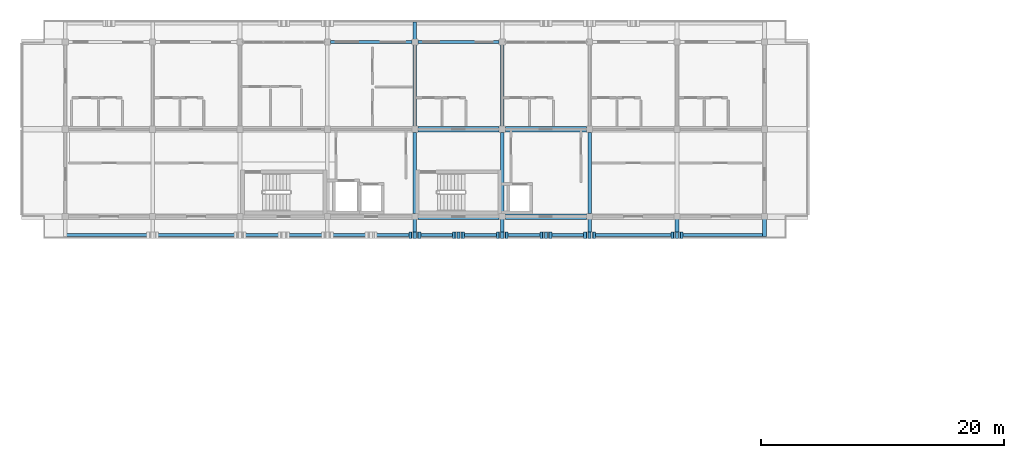
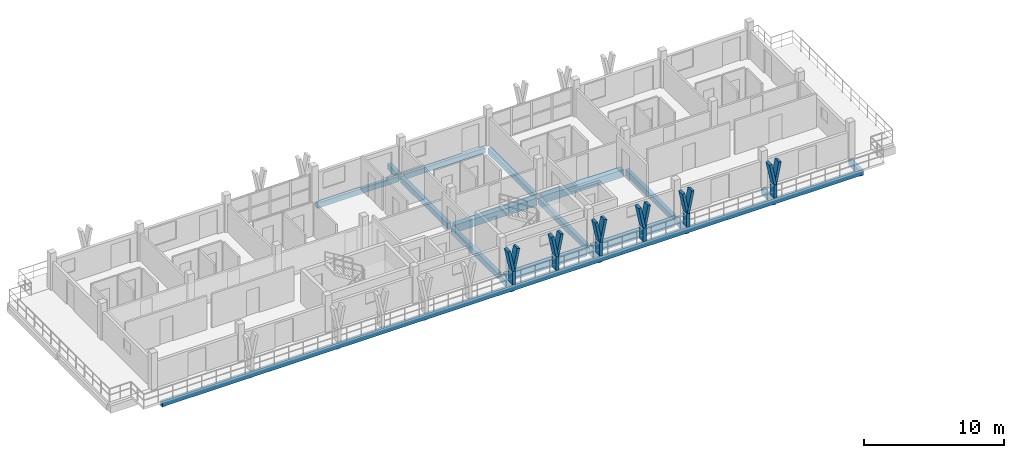
# One storey, part 5 of 32: 18 beams, 18 members.
"""IFC4 building model written with IfcOpenShell, lengths in metres."""

from ifc_helpers import new_model, si_unit, direction, frame, origin, origin_2d, place, context, subcontext, project, spatial, rectangle, extrude, material, material_profile, profile_set, type_object, element, save


model = new_model("IFC4")

# Units and contexts
model_context = context("Model", 3, precision=1e-05, world=origin(), true_north=direction((0.0, 1.0)))
body_context = subcontext(model_context, "Body", "Model", "MODEL_VIEW")
ifc_project = project(units=[si_unit("LENGTHUNIT", "METRE"), si_unit("AREAUNIT", "SQUARE_METRE"), si_unit("VOLUMEUNIT", "CUBIC_METRE"), si_unit("PLANEANGLEUNIT", "RADIAN"), si_unit("MASSUNIT", "GRAM", prefix="KILO")], contexts=[model_context])

# Site, building, storey
site_placement = place(None, origin())
site = spatial("IfcSite", under=ifc_project, at=site_placement, CompositionType="ELEMENT")
building_placement = place(site_placement, origin())
building = spatial("IfcBuilding", under=site, at=building_placement, Name="Suanplinth Sawtooth Commons", CompositionType="ELEMENT")
storey_placement = place(building_placement, frame((0.0, 0.0, 41.199951171875)))
storey = spatial("IfcBuildingStorey", under=building, at=storey_placement, Name="L12", CompositionType="ELEMENT", Elevation=41.199951171875)

# Beams
ifc_material_1 = material(Name="Precast concrete C40/50", Category="concrete")
ifc_material_profile_1 = material_profile(ifc_material_1, rectangle(XDim=0.449951171875, YDim=0.64990234375, at=origin_2d()), Name="PC-GDR 450x650")
ifc_profile_set_1 = profile_set([ifc_material_profile_1], Name="Precast concrete C40/50")
beam_type_1 = type_object("IfcBeamType", Name="B-04", PredefinedType="USERDEFINED", material=ifc_profile_set_1)
for number, where, z_axis, x_axis, name in (
    (1, (57.85009765625, 108.0, -0.534912109375), (1.0, 0.0, 0.0), (0.0, 1.0, 0.0), "BMX-L12-A-8-15"),
    (2, (57.85009765625, 115.199951171875, -0.534912109375), (1.0, 0.0, 0.0), (0.0, 1.0, 0.0), "BMX-L12-A-8-16"),
    (3, (65.050048828125, 108.0, -0.534912109375), (1.0, 0.0, 0.0), (0.0, 1.0, 0.0), "BMX-L12-A-9-15"),
    (4, (65.050048828125, 115.199951171875, -0.534912109375), (1.0, 0.0, 0.0), (0.0, 1.0, 0.0), "BMX-L12-A-9-16"),
):
    element("IfcBeam", number, at=place(storey_placement, frame(where, z_axis=z_axis, x_axis=x_axis)), inside=storey, type_object=beam_type_1, Name=name, ObjectType="GIRDER", PredefinedType="USERDEFINED", context=body_context, shape_type="SweptSolid", body=[
        extrude(rectangle(XDim=0.449951171875, YDim=0.64990234375, at=origin_2d()), origin(), (0.0, 0.0, 1.0), 6.699951171875),
    ])
ifc_material_profile_2 = material_profile(ifc_material_1, rectangle(XDim=0.300048828125, YDim=0.5, at=origin_2d()), Name="PC-BM 300x500")
ifc_profile_set_2 = profile_set([ifc_material_profile_2], Name="Precast concrete C40/50")
beam_type_2 = type_object("IfcBeamType", Name="B-07", PredefinedType="BEAM", material=ifc_profile_set_2)
for number, where, z_axis, x_axis, name in (
    (5, (57.60009765625, 108.25, -0.4599609375), (0.0, 1.0, 0.0), (-1.0, 0.0, 0.0), "BMY-L12-A-8-15"),
    (6, (57.60009765625, 115.449951171875, -0.4599609375), (0.0, 1.0, 0.0), (-1.0, 0.0, 0.0), "BMY-L12-A-8-16"),
    (7, (64.800048828125, 108.25, -0.4599609375), (0.0, 1.0, 0.0), (-1.0, 0.0, 0.0), "BMY-L12-A-9-15"),
    (8, (64.800048828125, 115.449951171875, -0.4599609375), (0.0, 1.0, 0.0), (-1.0, 0.0, 0.0), "BMY-L12-A-9-16"),
    (9, (72.0, 108.25, -0.4599609375), (0.0, 1.0, 0.0), (-1.0, 0.0, 0.0), "BMY-L12-A-10-15"),
):
    element("IfcBeam", number, at=place(storey_placement, frame(where, z_axis=z_axis, x_axis=x_axis)), inside=storey, type_object=beam_type_2, Name=name, PredefinedType="BEAM", context=body_context, shape_type="SweptSolid", body=[
        extrude(rectangle(XDim=0.300048828125, YDim=0.5, at=origin_2d()), origin(), (0.0, 0.0, 1.0), 6.699951171875),
    ])
beam_1_placement = place(storey_placement, frame((57.60009765625, 122.39990234375, -0.429931640625), z_axis=(0.0, 1.0, 0.0), x_axis=(-1.0, 0.0, 0.0)))
element("IfcBeam", 10, at=beam_1_placement, inside=storey, type_object=beam_type_2, Name="Balcony Outrigger L12-A-N-8", PredefinedType="BEAM", context=body_context, shape_type="SweptSolid", body=[
    extrude(rectangle(XDim=0.300048828125, YDim=0.5, at=origin_2d()), origin(), (0.0, 0.0, 1.0), 1.64013671875),
])
for number, where, z_axis, x_axis, name in (
    (11, (57.60009765625, 108.0, -0.429931640625), (0.0, -1.0, 0.0), (1.0, 0.0, 0.0), "Balcony Outrigger L12-A-S-8"),
    (12, (64.800048828125, 108.0, -0.429931640625), (0.0, -1.0, 0.0), (1.0, 0.0, 0.0), "Balcony Outrigger L12-A-S-9"),
    (13, (72.0, 108.0, -0.429931640625), (0.0, -1.0, 0.0), (1.0, 0.0, 0.0), "Balcony Outrigger L12-A-S-10"),
    (14, (79.199951171875, 108.0, -0.429931640625), (0.0, -1.0, 0.0), (1.0, 0.0, 0.0), "Balcony Outrigger L12-A-S-11"),
    (15, (86.39990234375, 108.0, -0.429931640625), (0.0, -1.0, 0.0), (1.0, 0.0, 0.0), "Balcony Outrigger L12-A-S-12"),
):
    element("IfcBeam", number, at=place(storey_placement, frame(where, z_axis=z_axis, x_axis=x_axis)), inside=storey, type_object=beam_type_2, Name=name, PredefinedType="BEAM", context=body_context, shape_type="SweptSolid", body=[
        extrude(rectangle(XDim=0.300048828125, YDim=0.5, at=origin_2d()), origin(), (0.0, 0.0, 1.0), 1.639892578125),
    ])
ifc_material_profile_3 = material_profile(ifc_material_1, rectangle(XDim=0.25, YDim=0.449951171875, at=origin_2d()), Name="PC-SP 250x450")
ifc_profile_set_3 = profile_set([ifc_material_profile_3], Name="Precast concrete C40/50")
beam_type_3 = type_object("IfcBeamType", Name="B-09", PredefinedType="SPANDREL", material=ifc_profile_set_3)
beam_2_placement = place(storey_placement, frame((50.64990234375, 122.39990234375, -0.43505859375), z_axis=(1.0, 0.0, 0.0), x_axis=(0.0, 1.0, 0.0)))
element("IfcBeam", 16, at=beam_2_placement, inside=storey, type_object=beam_type_3, Name="BMX-L12-A-7-17", PredefinedType="SPANDREL", context=body_context, shape_type="SweptSolid", body=[
    extrude(rectangle(XDim=0.25, YDim=0.449951171875, at=origin_2d()), origin(), (0.0, 0.0, 1.0), 6.7001953125),
])
beam_3_placement = place(storey_placement, frame((57.85009765625, 122.39990234375, -0.43505859375), z_axis=(1.0, 0.0, 0.0), x_axis=(0.0, 1.0, 0.0)))
element("IfcBeam", 17, at=beam_3_placement, inside=storey, type_object=beam_type_3, Name="BMX-L12-A-8-17", PredefinedType="SPANDREL", context=body_context, shape_type="SweptSolid", body=[
    extrude(rectangle(XDim=0.25, YDim=0.449951171875, at=origin_2d()), origin(), (0.0, 0.0, 1.0), 6.699951171875),
])
beam_4_placement = place(storey_placement, frame((28.64990234375, 106.47998046875, -0.405029296875), z_axis=(1.0, 0.0, 0.0), x_axis=(0.0, 1.0, 0.0)))
element("IfcBeam", 18, at=beam_4_placement, inside=storey, type_object=beam_type_3, Name="Balcony Edge Fascia L12-A-S", PredefinedType="SPANDREL", context=body_context, shape_type="SweptSolid", body=[
    extrude(rectangle(XDim=0.25, YDim=0.449951171875, at=origin_2d()), origin(), (0.0, 0.0, 1.0), 57.900146484375),
])

# Members
ifc_material_2 = material(Name="Pigmented precast concrete C40/50", Category="concrete")
ifc_material_profile_4 = material_profile(ifc_material_2, rectangle(XDim=0.260009765625, YDim=0.550048828125, at=origin_2d()), Name="PC-FIN 260x550")
ifc_profile_set_4 = profile_set([ifc_material_profile_4], Name="Pigmented precast concrete C40/50")
member_type_1 = type_object("IfcMemberType", Name="M-09", PredefinedType="USERDEFINED", material=ifc_profile_set_4)
for number, where, z_axis, x_axis, name in (
    (19, (57.60009765625, 106.47998046875, 0.0), (0.0, 0.0, 1.0), (1.0, 0.0, 0.0), "Y-Blade Stem L12-A-S-12"),
    (20, (61.199951171875, 106.47998046875, 0.0), (0.0, 0.0, 1.0), (1.0, 0.0, 0.0), "Y-Blade Stem L12-A-S-13"),
    (21, (64.800048828125, 106.47998046875, 0.0), (0.0, 0.0, 1.0), (1.0, 0.0, 0.0), "Y-Blade Stem L12-A-S-14"),
    (22, (68.39990234375, 106.47998046875, 0.0), (0.0, 0.0, 1.0), (1.0, 0.0, 0.0), "Y-Blade Stem L12-A-S-15"),
    (23, (72.0, 106.47998046875, 0.0), (0.0, 0.0, 1.0), (1.0, 0.0, 0.0), "Y-Blade Stem L12-A-S-16"),
    (24, (79.199951171875, 106.47998046875, 0.0), (0.0, 0.0, 1.0), (1.0, 0.0, 0.0), "Y-Blade Stem L12-A-S-17"),
):
    element("IfcMember", number, at=place(storey_placement, frame(where, z_axis=z_axis, x_axis=x_axis)), inside=storey, type_object=member_type_1, Name=name, ObjectType="SHADING FIN", PredefinedType="USERDEFINED", context=body_context, shape_type="SweptSolid", body=[
        extrude(rectangle(XDim=0.260009765625, YDim=0.550048828125, at=origin_2d()), origin(), (0.0, 0.0, 1.0), 1.170166015625),
    ])
ifc_material_profile_5 = material_profile(ifc_material_2, rectangle(XDim=0.219970703125, YDim=0.550048828125, at=origin_2d()), Name="PC-FIN 220x550")
ifc_profile_set_5 = profile_set([ifc_material_profile_5], Name="Pigmented precast concrete C40/50")
member_type_2 = type_object("IfcMemberType", Name="M-10", PredefinedType="USERDEFINED", material=ifc_profile_set_5)
member_1_placement = place(storey_placement, frame((57.60009765625, 106.47998046875, 1.130126953125), z_axis=(-0.196431120402, 0.0, 0.980517626021), x_axis=(0.980517626021, 0.0, 0.196431120402)))
element("IfcMember", 25, at=member_1_placement, inside=storey, type_object=member_type_2, Name="Y-Blade Arm L L12-A-S-12", ObjectType="SHADING FIN", PredefinedType="USERDEFINED", context=body_context, shape_type="SweptSolid", body=[
    extrude(rectangle(XDim=0.219970703125, YDim=0.550048828125, at=origin_2d()), origin(), (0.0, 0.0, 1.0), 1.937744140625),
])
for number, where, z_axis, x_axis, name in (
    (26, (57.60009765625, 106.47998046875, 1.130126953125), (0.196309979414, 0.0, 0.980541886909), (-0.980541886909, 0.0, 0.196309979414), "Y-Blade Arm R L12-A-S-12"),
    (27, (61.199951171875, 106.47998046875, 1.130126953125), (-0.196309979414, 0.0, 0.980541886909), (0.980541886909, 0.0, 0.196309979414), "Y-Blade Arm L L12-A-S-13"),
):
    element("IfcMember", number, at=place(storey_placement, frame(where, z_axis=z_axis, x_axis=x_axis)), inside=storey, type_object=member_type_2, Name=name, ObjectType="SHADING FIN", PredefinedType="USERDEFINED", context=body_context, shape_type="SweptSolid", body=[
        extrude(rectangle(XDim=0.219970703125, YDim=0.550048828125, at=origin_2d()), origin(), (0.0, 0.0, 1.0), 1.9375),
    ])
for number, where, z_axis, x_axis, name in (
    (28, (61.199951171875, 106.47998046875, 1.130126953125), (0.196431120402, 0.0, 0.980517626021), (-0.980517626021, 0.0, 0.196431120402), "Y-Blade Arm R L12-A-S-13"),
    (29, (64.800048828125, 106.47998046875, 1.130126953125), (-0.196431120402, 0.0, 0.980517626021), (0.980517626021, 0.0, 0.196431120402), "Y-Blade Arm L L12-A-S-14"),
):
    element("IfcMember", number, at=place(storey_placement, frame(where, z_axis=z_axis, x_axis=x_axis)), inside=storey, type_object=member_type_2, Name=name, ObjectType="SHADING FIN", PredefinedType="USERDEFINED", context=body_context, shape_type="SweptSolid", body=[
        extrude(rectangle(XDim=0.219970703125, YDim=0.550048828125, at=origin_2d()), origin(), (0.0, 0.0, 1.0), 1.937744140625),
    ])
for number, where, z_axis, x_axis, name in (
    (30, (64.800048828125, 106.47998046875, 1.130126953125), (0.196309979414, 0.0, 0.980541886909), (-0.980541886909, 0.0, 0.196309979414), "Y-Blade Arm R L12-A-S-14"),
    (31, (68.39990234375, 106.47998046875, 1.130126953125), (-0.196309979414, 0.0, 0.980541886909), (0.980541886909, 0.0, 0.196309979414), "Y-Blade Arm L L12-A-S-15"),
):
    element("IfcMember", number, at=place(storey_placement, frame(where, z_axis=z_axis, x_axis=x_axis)), inside=storey, type_object=member_type_2, Name=name, ObjectType="SHADING FIN", PredefinedType="USERDEFINED", context=body_context, shape_type="SweptSolid", body=[
        extrude(rectangle(XDim=0.219970703125, YDim=0.550048828125, at=origin_2d()), origin(), (0.0, 0.0, 1.0), 1.9375),
    ])
for number, where, z_axis, x_axis, name in (
    (32, (68.39990234375, 106.47998046875, 1.130126953125), (0.196431120402, 0.0, 0.980517626021), (-0.980517626021, 0.0, 0.196431120402), "Y-Blade Arm R L12-A-S-15"),
    (33, (72.0, 106.47998046875, 1.130126953125), (-0.196431120402, 0.0, 0.980517626021), (0.980517626021, 0.0, 0.196431120402), "Y-Blade Arm L L12-A-S-16"),
    (34, (72.0, 106.47998046875, 1.130126953125), (0.196431120402, 0.0, 0.980517626021), (-0.980517626021, 0.0, 0.196431120402), "Y-Blade Arm R L12-A-S-16"),
):
    element("IfcMember", number, at=place(storey_placement, frame(where, z_axis=z_axis, x_axis=x_axis)), inside=storey, type_object=member_type_2, Name=name, ObjectType="SHADING FIN", PredefinedType="USERDEFINED", context=body_context, shape_type="SweptSolid", body=[
        extrude(rectangle(XDim=0.219970703125, YDim=0.550048828125, at=origin_2d()), origin(), (0.0, 0.0, 1.0), 1.937744140625),
    ])
member_2_placement = place(storey_placement, frame((79.199951171875, 106.47998046875, 1.130126953125), z_axis=(-0.196309979414, 0.0, 0.980541886909), x_axis=(0.980541886909, 0.0, 0.196309979414)))
element("IfcMember", 35, at=member_2_placement, inside=storey, type_object=member_type_2, Name="Y-Blade Arm L L12-A-S-17", ObjectType="SHADING FIN", PredefinedType="USERDEFINED", context=body_context, shape_type="SweptSolid", body=[
    extrude(rectangle(XDim=0.219970703125, YDim=0.550048828125, at=origin_2d()), origin(), (0.0, 0.0, 1.0), 1.9375),
])
member_3_placement = place(storey_placement, frame((79.199951171875, 106.47998046875, 1.130126953125), z_axis=(0.196431120402, 0.0, 0.980517626021), x_axis=(-0.980517626021, 0.0, 0.196431120402)))
element("IfcMember", 36, at=member_3_placement, inside=storey, type_object=member_type_2, Name="Y-Blade Arm R L12-A-S-17", ObjectType="SHADING FIN", PredefinedType="USERDEFINED", context=body_context, shape_type="SweptSolid", body=[
    extrude(rectangle(XDim=0.219970703125, YDim=0.550048828125, at=origin_2d()), origin(), (0.0, 0.0, 1.0), 1.937744140625),
])

save(model, "model.ifc")
